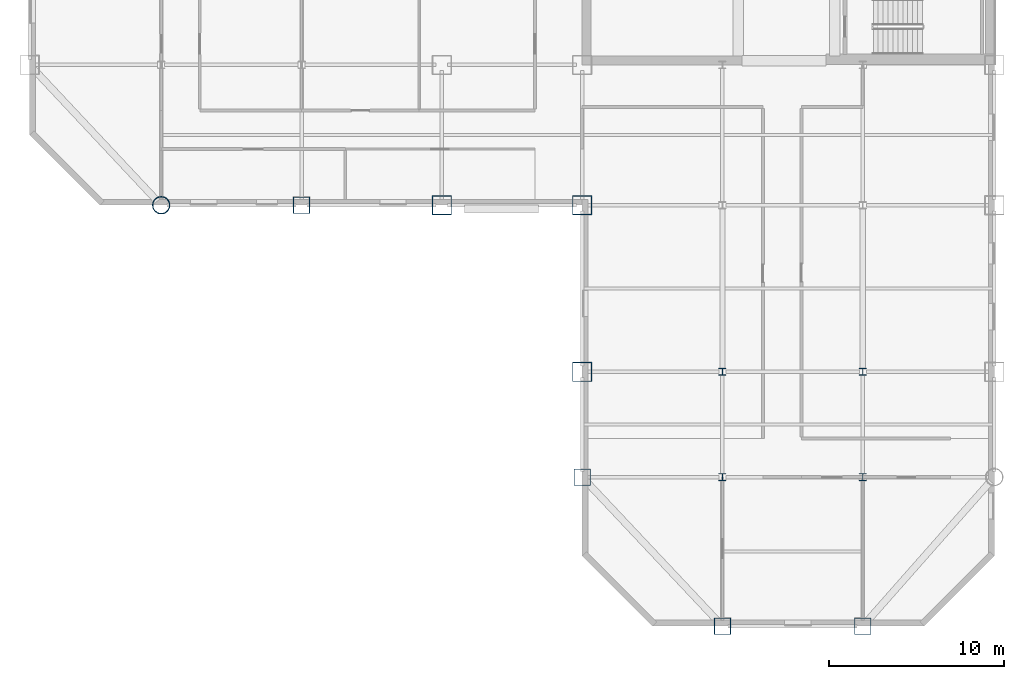
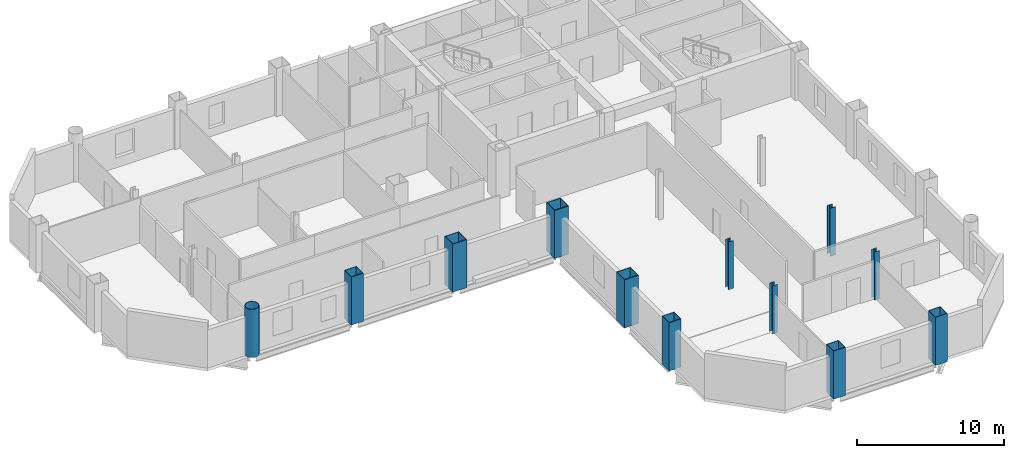
# One storey, part 1 of 10: 12 columns.
"""IFC4 building model written with IfcOpenShell, lengths in metres."""

from ifc_helpers import new_model, si_unit, direction, frame, origin, origin_2d, place, context, subcontext, project, spatial, hollow_rectangle, hollow_circle, i_section, extrude, material, material_profile, profile_set, type_object, element, save


model = new_model("IFC4")

# Units and contexts
model_context = context("Model", 3, precision=1e-05, world=origin(), true_north=direction((0.0, 1.0)))
body_context = subcontext(model_context, "Body", "Model", "MODEL_VIEW")
ifc_project = project(units=[si_unit("LENGTHUNIT", "METRE"), si_unit("AREAUNIT", "SQUARE_METRE"), si_unit("VOLUMEUNIT", "CUBIC_METRE"), si_unit("PLANEANGLEUNIT", "RADIAN"), si_unit("MASSUNIT", "GRAM", prefix="KILO")], contexts=[model_context])

# Site, building, storey
site_placement = place(None, origin())
site = spatial("IfcSite", under=ifc_project, at=site_placement, CompositionType="ELEMENT")
building_placement = place(site_placement, origin())
building = spatial("IfcBuilding", under=site, at=building_placement, Name="Qianrong Seaharbour Tower", CompositionType="ELEMENT")
storey_placement = place(building_placement, frame((0.0, 0.0, 139.0)))
storey = spatial("IfcBuildingStorey", under=building, at=storey_placement, Name="L33", CompositionType="ELEMENT", Elevation=139.0)

# Columns
ifc_material = material(Name="Structural steel SN490B", Category="steel")
ifc_material_profile_1 = material_profile(ifc_material, hollow_rectangle(XDim=1.10009765625, YDim=1.10009765625, WallThickness=0.0400390625, at=origin_2d()), Name="BOX1100x1100x40")
ifc_profile_set_1 = profile_set([ifc_material_profile_1], Name="Structural steel SN490B")
column_type_1 = type_object("IfcColumnType", Name="COL-CFT-1100", PredefinedType="COLUMN", material=ifc_profile_set_1)
for number, where, z_axis, x_axis, name in (
    (1, (32.5, 28.0, 0.0), (0.0, 0.0, 1.0), (1.0, 0.0, 0.0), "L33 Column MC-3 at G5/GE"),
    (2, (40.5, 18.5, 0.0), (0.0, 0.0, 1.0), (1.0, 0.0, 0.0), "L33 Column MC-3 at G6/GD"),
    (3, (40.5, 28.0, 0.0), (0.0, 0.0, 1.0), (1.0, 0.0, 0.0), "L33 Column MC-3 at G6/GE"),
):
    element("IfcColumn", number, at=place(storey_placement, frame(where, z_axis=z_axis, x_axis=x_axis)), inside=storey, type_object=column_type_1, Name=name, PredefinedType="COLUMN", context=body_context, shape_type="SweptSolid", body=[
        extrude(hollow_rectangle(XDim=1.10009765625, YDim=1.10009765625, WallThickness=0.0400390625, at=origin_2d()), origin(), (0.0, 0.0, 1.0), 4.0),
    ])
ifc_material_profile_2 = material_profile(ifc_material, hollow_circle(Radius=0.5, WallThickness=0.035888671875, at=origin_2d()), Name="CHS1000x36")
ifc_profile_set_2 = profile_set([ifc_material_profile_2], Name="Structural steel SN490B")
column_type_2 = type_object("IfcColumnType", Name="COL-CHS-1000", PredefinedType="COLUMN", material=ifc_profile_set_2)
column_placement = place(storey_placement, frame((16.5, 28.0, 0.0), z_axis=(0.0, 0.0, 1.0), x_axis=(1.0, 0.0, 0.0)))
element("IfcColumn", 4, at=column_placement, inside=storey, type_object=column_type_2, Name="L33 Column CC-2 at G3/GE", PredefinedType="COLUMN", context=body_context, shape_type="SweptSolid", body=[
    extrude(hollow_circle(Radius=0.5, WallThickness=0.035888671875, at=origin_2d()), origin(), (0.0, 0.0, 1.0), 4.0),
])
ifc_material_profile_3 = material_profile(ifc_material, i_section(OverallWidth=0.39990234375, OverallDepth=0.39990234375, WebThickness=0.012939453125, FlangeThickness=0.02099609375, FilletRadius=0.02197265625, at=origin_2d()), Name="H400x400x13x21")
ifc_profile_set_3 = profile_set([ifc_material_profile_3], Name="Structural steel SN490B")
column_type_3 = type_object("IfcColumnType", Name="COL-INT-H400", PredefinedType="COLUMN", material=ifc_profile_set_3)
for number, where, z_axis, x_axis, name in (
    (5, (48.5, 12.5, 0.0), (0.0, 0.0, 1.0), (1.0, 0.0, 0.0), "L33 Column IC-3 at G7/GC"),
    (6, (48.5, 18.5, 0.0), (0.0, 0.0, 1.0), (1.0, 0.0, 0.0), "L33 Column IC-3 at G7/GD"),
    (7, (56.5, 12.5, 0.0), (0.0, 0.0, 1.0), (1.0, 0.0, 0.0), "L33 Column IC-3 at G8/GC"),
    (8, (56.5, 18.5, 0.0), (0.0, 0.0, 1.0), (1.0, 0.0, 0.0), "L33 Column IC-3 at G8/GD"),
):
    element("IfcColumn", number, at=place(storey_placement, frame(where, z_axis=z_axis, x_axis=x_axis)), inside=storey, type_object=column_type_3, Name=name, PredefinedType="COLUMN", context=body_context, shape_type="SweptSolid", body=[
        extrude(i_section(OverallWidth=0.39990234375, OverallDepth=0.39990234375, WebThickness=0.012939453125, FlangeThickness=0.02099609375, FilletRadius=0.02197265625, at=origin_2d()), origin(), (0.0, 0.0, 1.0), 4.0),
    ])
ifc_material_profile_4 = material_profile(ifc_material, hollow_rectangle(XDim=0.949951171875, YDim=0.949951171875, WallThickness=0.035888671875, at=origin_2d()), Name="BOX950x950x36")
ifc_profile_set_4 = profile_set([ifc_material_profile_4], Name="Structural steel SN490B")
column_type_4 = type_object("IfcColumnType", Name="COL-PER-950", PredefinedType="COLUMN", material=ifc_profile_set_4)
for number, where, z_axis, x_axis, name in (
    (9, (24.5, 28.0, 0.0), (0.0, 0.0, 1.0), (1.0, 0.0, 0.0), "L33 Column PC-2 at G4/GE"),
    (10, (40.5, 12.5, 0.0), (0.0, 0.0, 1.0), (1.0, 0.0, 0.0), "L33 Column PC-2 at G6/GC"),
    (11, (48.5, 4.0, 0.0), (0.0, 0.0, 1.0), (1.0, 0.0, 0.0), "L33 Column PC-2 at G7/GB"),
    (12, (56.5, 4.0, 0.0), (0.0, 0.0, 1.0), (1.0, 0.0, 0.0), "L33 Column PC-2 at G8/GB"),
):
    element("IfcColumn", number, at=place(storey_placement, frame(where, z_axis=z_axis, x_axis=x_axis)), inside=storey, type_object=column_type_4, Name=name, PredefinedType="COLUMN", context=body_context, shape_type="SweptSolid", body=[
        extrude(hollow_rectangle(XDim=0.949951171875, YDim=0.949951171875, WallThickness=0.035888671875, at=origin_2d()), origin(), (0.0, 0.0, 1.0), 4.0),
    ])

save(model, "model.ifc")
